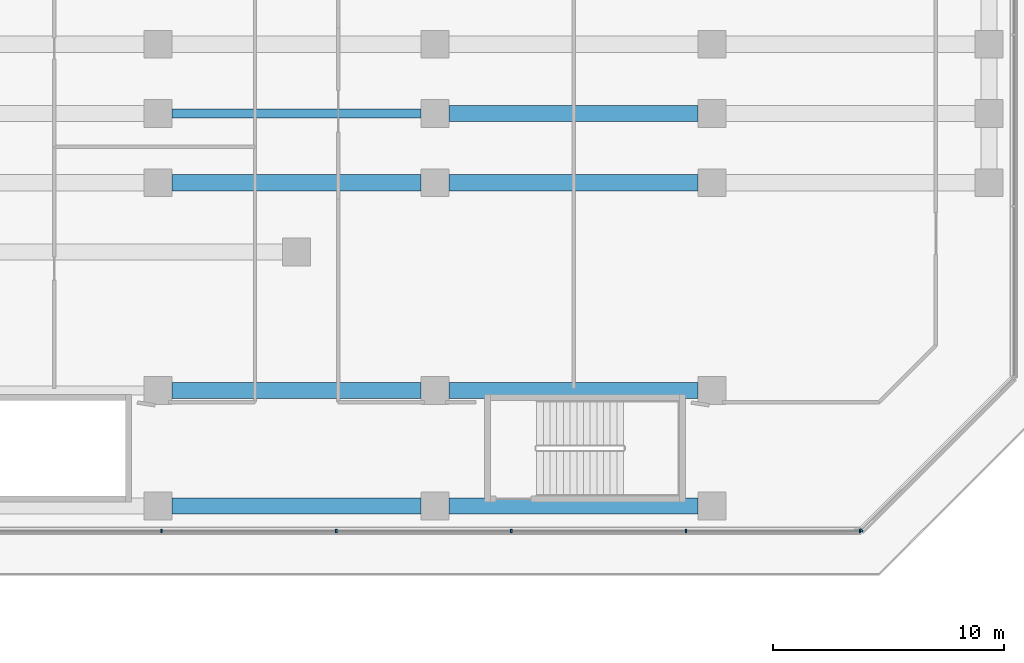
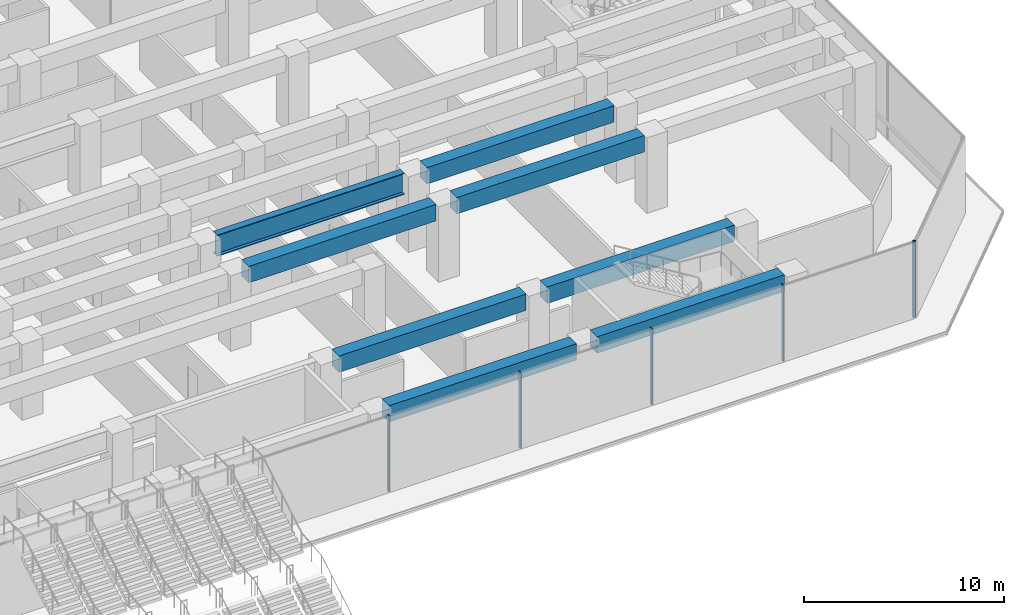
# One storey, part 11 of 40: 8 beams, 6 members, 2 elements without a shape of their own.
"""IFC4 building model written with IfcOpenShell, lengths in metres."""

from ifc_helpers import new_model, si_unit, direction, frame, origin, origin_2d, place, context, subcontext, project, spatial, rectangle, i_section, extrude, material, layer, layer_set, material_profile, profile_set, type_object, element, aggregate, save


model = new_model("IFC4")

# Units and contexts
model_context = context("Model", 3, precision=1e-05, world=origin(), true_north=direction((0.0, 1.0)))
body_context = subcontext(model_context, "Body", "Model", "MODEL_VIEW")
ifc_project = project(units=[si_unit("LENGTHUNIT", "METRE"), si_unit("AREAUNIT", "SQUARE_METRE"), si_unit("VOLUMEUNIT", "CUBIC_METRE"), si_unit("PLANEANGLEUNIT", "RADIAN"), si_unit("MASSUNIT", "GRAM", prefix="KILO")], contexts=[model_context])

# Site, building, storey
site_placement = place(None, origin())
site = spatial("IfcSite", under=ifc_project, at=site_placement, CompositionType="ELEMENT")
building_placement = place(site_placement, origin())
building = spatial("IfcBuilding", under=site, at=building_placement, Name="Welwitschia Terrace Campus", CompositionType="ELEMENT")
storey_placement = place(building_placement, frame((0.0, 0.0, 6.0)))
storey = spatial("IfcBuildingStorey", under=building, at=storey_placement, Name="L01", CompositionType="ELEMENT", Elevation=6.0)

# Beams
ifc_material_1 = material(Name="Concrete C60/75", Category="concrete")
ifc_material_profile_1 = material_profile(ifc_material_1, rectangle(XDim=0.699951171875, YDim=1.0, at=origin_2d()))
ifc_profile_set_1 = profile_set([ifc_material_profile_1], Name="Concrete C60/75")
beam_type_1 = type_object("IfcBeamType", Name="Base block beam 700x1000", PredefinedType="BEAM", material=ifc_profile_set_1)
for number, where, z_axis, x_axis, name in (
    (1, (60.6005859375, -9.0, 4.10009765625), (1.0, 0.0, 0.0), (0.0, 1.0, 0.0), "Beam BB1"),
    (2, (72.6005859375, -9.0, 4.10009765625), (1.0, 0.0, 0.0), (0.0, 1.0, 0.0), "Beam BB1"),
    (3, (60.6005859375, -4.0, 4.10009765625), (1.0, 0.0, 0.0), (0.0, 1.0, 0.0), "Beam BB1"),
    (4, (72.6005859375, -4.0, 4.10009765625), (1.0, 0.0, 0.0), (0.0, 1.0, 0.0), "Beam BB1"),
    (5, (60.6005859375, 5.0, 4.10009765625), (1.0, 0.0, 0.0), (0.0, 1.0, 0.0), "Beam BB1"),
    (6, (72.6005859375, 5.0, 4.10009765625), (1.0, 0.0, 0.0), (0.0, 1.0, 0.0), "Beam BB1"),
    (7, (72.6005859375, 8.0, 4.10009765625), (1.0, 0.0, 0.0), (0.0, 1.0, 0.0), "Beam BB1"),
):
    element("IfcBeam", number, at=place(storey_placement, frame(where, z_axis=z_axis, x_axis=x_axis)), inside=storey, type_object=beam_type_1, Name=name, PredefinedType="BEAM", context=body_context, shape_type="SweptSolid", body=[
        extrude(rectangle(XDim=0.699951171875, YDim=1.0, at=origin_2d()), origin(), (0.0, 0.0, 1.0), 10.798828125),
    ])

# Curtain wall, members
ifc_material_2 = material(Name="Bronze anodised aluminium", Category="aluminium")
ifc_layer = layer(ifc_material_2, 0.14990234375)
ifc_layer_set = layer_set([ifc_layer], Name="Bronze anodised aluminium")
curtain_wall_type = type_object("IfcCurtainWallType", Name="Curtain wall CW1 podium 7500", PredefinedType="NOTDEFINED", material=ifc_layer_set)
curtain_wall_1_placement = place(storey_placement, origin())
curtain_wall_1 = element("IfcCurtainWall", 8, at=curtain_wall_1_placement, inside=storey, type_object=curtain_wall_type, Name="CW L01.0.0", PredefinedType="NOTDEFINED")
ifc_material_3 = material(Name="Bronze anodised aluminium", Category="aluminium")
ifc_material_profile_2 = material_profile(ifc_material_3, rectangle(XDim=0.14990234375, YDim=0.080078125, at=origin_2d()))
ifc_profile_set_2 = profile_set([ifc_material_profile_2], Name="Bronze anodised aluminium")
member_type = type_object("IfcMemberType", Name="Mullion 80x150", PredefinedType="MULLION", material=ifc_profile_set_2)
member_1_placement = place(storey_placement, frame((60.14990234375, -10.0849609375, 0.0), z_axis=(0.0, 0.0, 1.0), x_axis=(0.0, 1.0, 0.0)))
member_1 = element("IfcMember", 9, at=member_1_placement, type_object=member_type, Name="Mullion L01.0.0.8", PredefinedType="MULLION", context=body_context, shape_type="SweptSolid", body=[
    extrude(rectangle(XDim=0.14990234375, YDim=0.080078125, at=origin_2d()), origin(), (0.0, 0.0, 1.0), 4.64990234375),
])
member_2_placement = place(storey_placement, frame((67.724609375, -10.0849609375, 0.0), z_axis=(0.0, 0.0, 1.0), x_axis=(0.0, 1.0, 0.0)))
member_2 = element("IfcMember", 10, at=member_2_placement, type_object=member_type, Name="Mullion L01.0.0.9", PredefinedType="MULLION", context=body_context, shape_type="SweptSolid", body=[
    extrude(rectangle(XDim=0.14990234375, YDim=0.080078125, at=origin_2d()), origin(), (0.0, 0.0, 1.0), 4.64990234375),
])
member_3_placement = place(storey_placement, frame((75.299560546875, -10.0849609375, 0.0), z_axis=(0.0, 0.0, 1.0), x_axis=(0.0, 1.0, 0.0)))
member_3 = element("IfcMember", 11, at=member_3_placement, type_object=member_type, Name="Mullion L01.0.0.10", PredefinedType="MULLION", context=body_context, shape_type="SweptSolid", body=[
    extrude(rectangle(XDim=0.14990234375, YDim=0.080078125, at=origin_2d()), origin(), (0.0, 0.0, 1.0), 4.64990234375),
])
member_4_placement = place(storey_placement, frame((82.87451171875, -10.0849609375, 0.0), z_axis=(0.0, 0.0, 1.0), x_axis=(0.0, 1.0, 0.0)))
member_4 = element("IfcMember", 12, at=member_4_placement, type_object=member_type, Name="Mullion L01.0.0.11", PredefinedType="MULLION", context=body_context, shape_type="SweptSolid", body=[
    extrude(rectangle(XDim=0.14990234375, YDim=0.080078125, at=origin_2d()), origin(), (0.0, 0.0, 1.0), 4.64990234375),
])
member_5_placement = place(storey_placement, frame((90.409423828125, -10.0849609375, 0.0), z_axis=(0.0, 0.0, 1.0), x_axis=(0.0, 1.0, 0.0)))
member_5 = element("IfcMember", 13, at=member_5_placement, type_object=member_type, Name="Mullion L01.0.0.12", PredefinedType="MULLION", context=body_context, shape_type="SweptSolid", body=[
    extrude(rectangle(XDim=0.14990234375, YDim=0.080078125, at=origin_2d()), origin(), (0.0, 0.0, 1.0), 4.64990234375),
])
aggregate(curtain_wall_1, [member_1, member_2, member_3, member_4, member_5])

# Curtain wall, member
curtain_wall_2_placement = place(storey_placement, origin())
curtain_wall_2 = element("IfcCurtainWall", 14, at=curtain_wall_2_placement, inside=storey, type_object=curtain_wall_type, Name="CW L01.1.0", PredefinedType="NOTDEFINED")
member_6_placement = place(storey_placement, frame((90.477783203125, -10.056640625, 0.0), z_axis=(0.0, 0.0, 1.0), x_axis=(-0.707106781187, 0.707106781187, 0.0)))
member_6 = element("IfcMember", 15, at=member_6_placement, type_object=member_type, Name="Mullion L01.1.0.0", PredefinedType="MULLION", context=body_context, shape_type="SweptSolid", body=[
    extrude(rectangle(XDim=0.14990234375, YDim=0.080078125, at=origin_2d()), origin(), (0.0, 0.0, 1.0), 4.64990234375),
])
aggregate(curtain_wall_2, [member_6])

# Beam
ifc_material_4 = material(Name="Steel S355", Category="steel")
ifc_material_profile_3 = material_profile(ifc_material_4, i_section(OverallWidth=0.39990234375, OverallDepth=1.300048828125, WebThickness=0.02490234375, FlangeThickness=0.0400390625, at=origin_2d()))
ifc_profile_set_3 = profile_set([ifc_material_profile_3], Name="Steel S355")
beam_type_2 = type_object("IfcBeamType", Name="Transfer girder WI 1300x400x25x40", PredefinedType="BEAM", material=ifc_profile_set_3)
beam_placement = place(storey_placement, frame((60.6005859375, 8.0, 3.949951171875), z_axis=(1.0, 0.0, 0.0), x_axis=(0.0, 1.0, 0.0)))
element("IfcBeam", 16, at=beam_placement, inside=storey, type_object=beam_type_2, Name="Transfer girder TG1", PredefinedType="BEAM", context=body_context, shape_type="SweptSolid", body=[
    extrude(i_section(OverallWidth=0.39990234375, OverallDepth=1.300048828125, WebThickness=0.02490234375, FlangeThickness=0.0400390625, at=origin_2d()), origin(), (0.0, 0.0, 1.0), 10.798828125),
])

save(model, "model.ifc")
